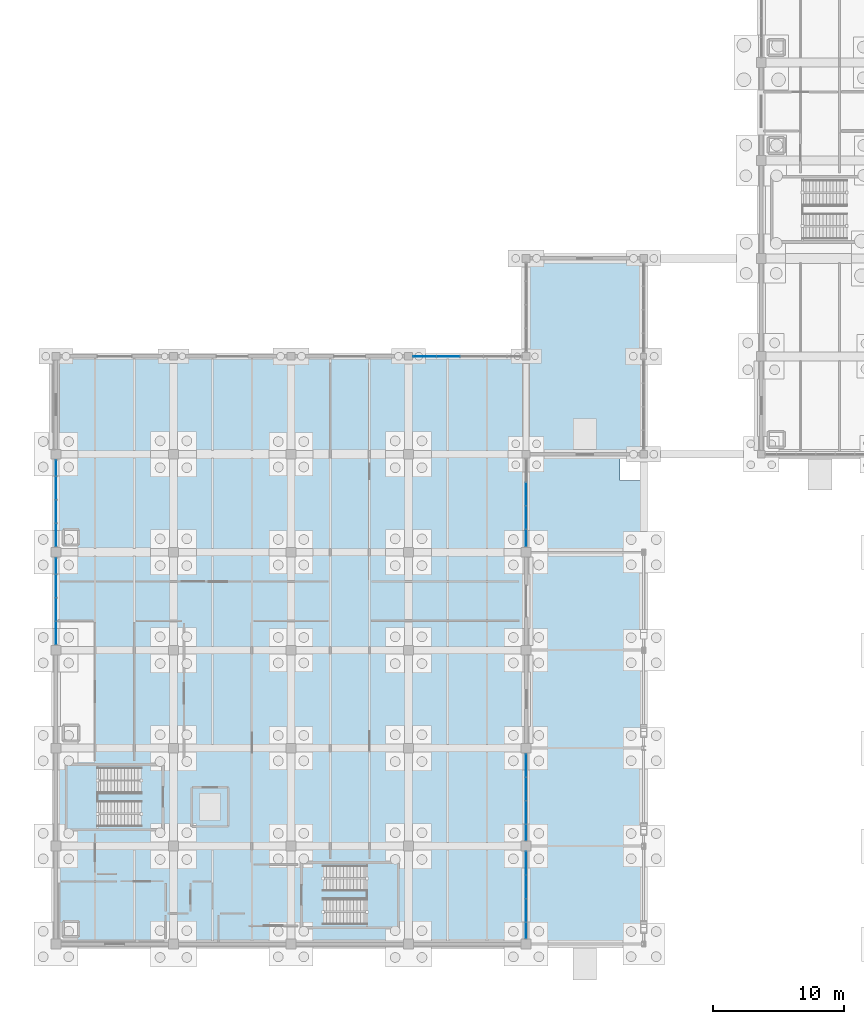
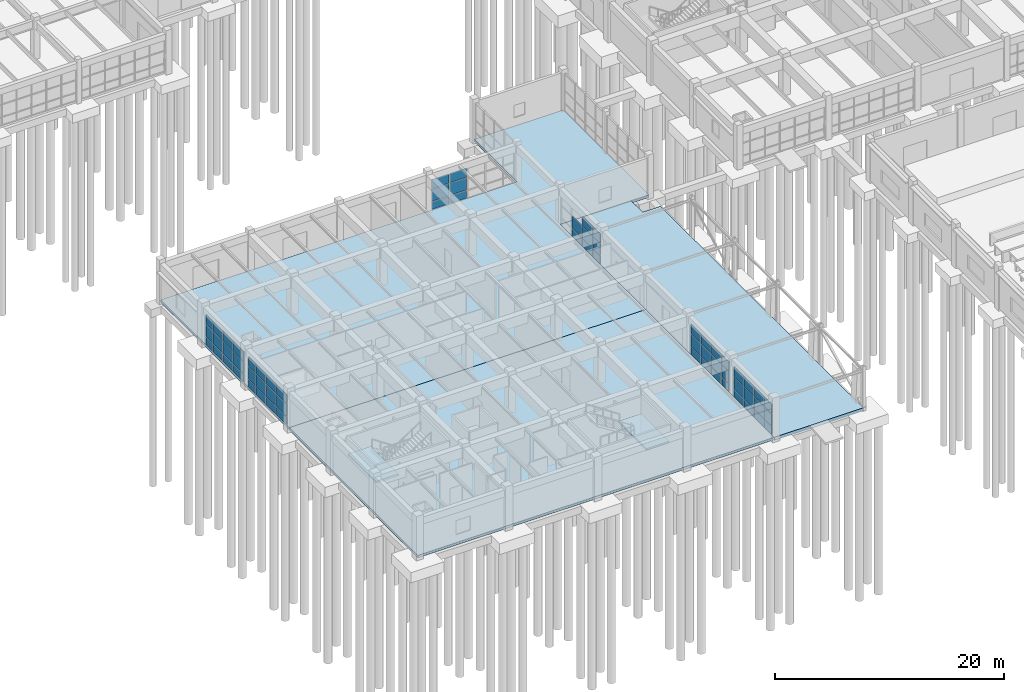
# One storey, part 43 of 93: 62 plates, 5 slabs, 8 elements without a shape of their own.
"""IFC4 building model written with IfcOpenShell, lengths in metres."""

from ifc_helpers import new_model, si_unit, direction, frame, origin, origin_2d, place, context, subcontext, project, spatial, polyline, rectangle, outline, extrude, material, layer, layer_set, type_object, element, aggregate, save


model = new_model("IFC4")

# Units and contexts
model_context = context("Model", 3, precision=1e-05, world=origin(), true_north=direction((0.0, 1.0)))
body_context = subcontext(model_context, "Body", "Model", "MODEL_VIEW")
ifc_project = project(units=[si_unit("LENGTHUNIT", "METRE"), si_unit("AREAUNIT", "SQUARE_METRE"), si_unit("VOLUMEUNIT", "CUBIC_METRE"), si_unit("PLANEANGLEUNIT", "RADIAN"), si_unit("MASSUNIT", "GRAM", prefix="KILO")], contexts=[model_context])

# Site, building, storey
site_placement = place(None, origin())
site = spatial("IfcSite", under=ifc_project, at=site_placement, CompositionType="ELEMENT")
building_placement = place(site_placement, origin())
building = spatial("IfcBuilding", under=site, at=building_placement, Name="Marnridge Secondary College", CompositionType="ELEMENT")
storey_placement = place(building_placement, origin())
storey = spatial("IfcBuildingStorey", under=building, at=storey_placement, Name="L00", CompositionType="ELEMENT", Elevation=0.0)

# Curtain wall, plates
ifc_material_1 = material(Name="Bronze-anodised aluminium and solar-control glazing", Category="aluminium")
ifc_layer_1 = layer(ifc_material_1, 0.199951171875)
ifc_layer_set_1 = layer_set([ifc_layer_1], Name="CW-MOD-1800")
curtain_wall_type = type_object("IfcCurtainWallType", Name="CW-MOD-1800", PredefinedType="NOTDEFINED", material=ifc_layer_set_1)
curtain_wall_1_placement = place(storey_placement, origin())
curtain_wall_1 = element("IfcCurtainWall", 1, at=curtain_wall_1_placement, inside=storey, type_object=curtain_wall_type, Name="Unitised curtain wall CW-L00-019", PredefinedType="NOTDEFINED")
ifc_material_2 = material(Name="Acoustic laminated solar-control double glazing", Category="glass")
ifc_layer_2 = layer(ifc_material_2, 0.035888671875)
ifc_layer_set_2 = layer_set([ifc_layer_2], Name="CWP-GLZ36")
plate_type = type_object("IfcPlateType", Name="CWP-GLZ36", PredefinedType="CURTAIN_PANEL", material=ifc_layer_set_2)
plate_1_placement = place(storey_placement, frame((28.239013671875, 45.0, 0.06494140625), z_axis=(0.0, 0.0, 1.0), x_axis=(1.0, 0.0, 0.0)))
plate_1 = element("IfcPlate", 2, at=plate_1_placement, type_object=plate_type, Name="CW-L00-019 panel 1.1", PredefinedType="CURTAIN_PANEL", context=body_context, shape_type="SweptSolid", body=[
    extrude(rectangle(XDim=1.72998046875, YDim=0.035888671875, at=origin_2d()), origin(), (0.0, 0.0, 1.0), 0.802490234375),
])
plate_2_placement = place(storey_placement, frame((28.239013671875, 45.0, 0.9326171875), z_axis=(0.0, 0.0, 1.0), x_axis=(1.0, 0.0, 0.0)))
plate_2 = element("IfcPlate", 3, at=plate_2_placement, type_object=plate_type, Name="CW-L00-019 panel 1.2", PredefinedType="CURTAIN_PANEL", context=body_context, shape_type="SweptSolid", body=[
    extrude(rectangle(XDim=1.72998046875, YDim=0.035888671875, at=origin_2d()), origin(), (0.0, 0.0, 1.0), 1.284912109375),
])
plate_3_placement = place(storey_placement, frame((28.239013671875, 45.0, 2.2822265625), z_axis=(0.0, 0.0, 1.0), x_axis=(1.0, 0.0, 0.0)))
plate_3 = element("IfcPlate", 4, at=plate_3_placement, type_object=plate_type, Name="CW-L00-019 panel 1.3", PredefinedType="CURTAIN_PANEL", context=body_context, shape_type="SweptSolid", body=[
    extrude(rectangle(XDim=1.72998046875, YDim=0.035888671875, at=origin_2d()), origin(), (0.0, 0.0, 1.0), 0.984619140625),
])
plate_4_placement = place(storey_placement, frame((30.0390625, 45.0, 0.06494140625), z_axis=(0.0, 0.0, 1.0), x_axis=(1.0, 0.0, 0.0)))
plate_4 = element("IfcPlate", 5, at=plate_4_placement, type_object=plate_type, Name="CW-L00-019 panel 2.1", PredefinedType="CURTAIN_PANEL", context=body_context, shape_type="SweptSolid", body=[
    extrude(rectangle(XDim=1.72998046875, YDim=0.035888671875, at=origin_2d()), origin(), (0.0, 0.0, 1.0), 0.802490234375),
])
plate_5_placement = place(storey_placement, frame((30.0390625, 45.0, 0.9326171875), z_axis=(0.0, 0.0, 1.0), x_axis=(1.0, 0.0, 0.0)))
plate_5 = element("IfcPlate", 6, at=plate_5_placement, type_object=plate_type, Name="CW-L00-019 panel 2.2", PredefinedType="CURTAIN_PANEL", context=body_context, shape_type="SweptSolid", body=[
    extrude(rectangle(XDim=1.72998046875, YDim=0.035888671875, at=origin_2d()), origin(), (0.0, 0.0, 1.0), 1.284912109375),
])
plate_6_placement = place(storey_placement, frame((30.0390625, 45.0, 2.2822265625), z_axis=(0.0, 0.0, 1.0), x_axis=(1.0, 0.0, 0.0)))
plate_6 = element("IfcPlate", 7, at=plate_6_placement, type_object=plate_type, Name="CW-L00-019 panel 2.3", PredefinedType="CURTAIN_PANEL", context=body_context, shape_type="SweptSolid", body=[
    extrude(rectangle(XDim=1.72998046875, YDim=0.035888671875, at=origin_2d()), origin(), (0.0, 0.0, 1.0), 0.984619140625),
])
aggregate(curtain_wall_1, [plate_1, plate_2, plate_3, plate_4, plate_5, plate_6])

curtain_wall_2_placement = place(storey_placement, origin())
curtain_wall_2 = element("IfcCurtainWall", 8, at=curtain_wall_2_placement, inside=storey, type_object=curtain_wall_type, Name="Unitised curtain wall CW-L00-023", PredefinedType="NOTDEFINED")
plate_7_placement = place(storey_placement, frame((36.0, 34.4609375, 0.06494140625), z_axis=(0.0, 0.0, 1.0), x_axis=(0.0, -1.0, 0.0)))
plate_7 = element("IfcPlate", 9, at=plate_7_placement, type_object=plate_type, Name="CW-L00-023 panel 2.1", PredefinedType="CURTAIN_PANEL", context=body_context, shape_type="SweptSolid", body=[
    extrude(rectangle(XDim=1.72998046875, YDim=0.035888671875, at=origin_2d()), origin(), (0.0, 0.0, 1.0), 0.802490234375),
])
plate_8_placement = place(storey_placement, frame((36.0, 34.4609375, 0.9326171875), z_axis=(0.0, 0.0, 1.0), x_axis=(0.0, -1.0, 0.0)))
plate_8 = element("IfcPlate", 10, at=plate_8_placement, type_object=plate_type, Name="CW-L00-023 panel 2.2", PredefinedType="CURTAIN_PANEL", context=body_context, shape_type="SweptSolid", body=[
    extrude(rectangle(XDim=1.72998046875, YDim=0.035888671875, at=origin_2d()), origin(), (0.0, 0.0, 1.0), 1.284912109375),
])
plate_9_placement = place(storey_placement, frame((36.0, 32.660888671875, 0.06494140625), z_axis=(0.0, 0.0, 1.0), x_axis=(0.0, -1.0, 0.0)))
plate_9 = element("IfcPlate", 11, at=plate_9_placement, type_object=plate_type, Name="CW-L00-023 panel 3.1", PredefinedType="CURTAIN_PANEL", context=body_context, shape_type="SweptSolid", body=[
    extrude(rectangle(XDim=1.72998046875, YDim=0.035888671875, at=origin_2d()), origin(), (0.0, 0.0, 1.0), 0.802490234375),
])
plate_10_placement = place(storey_placement, frame((36.0, 32.660888671875, 0.9326171875), z_axis=(0.0, 0.0, 1.0), x_axis=(0.0, -1.0, 0.0)))
plate_10 = element("IfcPlate", 12, at=plate_10_placement, type_object=plate_type, Name="CW-L00-023 panel 3.2", PredefinedType="CURTAIN_PANEL", context=body_context, shape_type="SweptSolid", body=[
    extrude(rectangle(XDim=1.72998046875, YDim=0.035888671875, at=origin_2d()), origin(), (0.0, 0.0, 1.0), 1.284912109375),
])
plate_11_placement = place(storey_placement, frame((36.0, 32.660888671875, 2.2822265625), z_axis=(0.0, 0.0, 1.0), x_axis=(0.0, -1.0, 0.0)))
plate_11 = element("IfcPlate", 13, at=plate_11_placement, type_object=plate_type, Name="CW-L00-023 panel 3.3", PredefinedType="CURTAIN_PANEL", context=body_context, shape_type="SweptSolid", body=[
    extrude(rectangle(XDim=1.72998046875, YDim=0.035888671875, at=origin_2d()), origin(), (0.0, 0.0, 1.0), 0.984619140625),
])
plate_12_placement = place(storey_placement, frame((36.0, 31.08740234375, 0.06494140625), z_axis=(0.0, 0.0, 1.0), x_axis=(0.0, -1.0, 0.0)))
plate_12 = element("IfcPlate", 14, at=plate_12_placement, type_object=plate_type, Name="CW-L00-023 panel 4.1", PredefinedType="CURTAIN_PANEL", context=body_context, shape_type="SweptSolid", body=[
    extrude(rectangle(XDim=1.277099609375, YDim=0.035888671875, at=origin_2d()), origin(), (0.0, 0.0, 1.0), 0.802490234375),
])
plate_13_placement = place(storey_placement, frame((36.0, 31.08740234375, 0.9326171875), z_axis=(0.0, 0.0, 1.0), x_axis=(0.0, -1.0, 0.0)))
plate_13 = element("IfcPlate", 15, at=plate_13_placement, type_object=plate_type, Name="CW-L00-023 panel 4.2", PredefinedType="CURTAIN_PANEL", context=body_context, shape_type="SweptSolid", body=[
    extrude(rectangle(XDim=1.277099609375, YDim=0.035888671875, at=origin_2d()), origin(), (0.0, 0.0, 1.0), 1.284912109375),
])
plate_14_placement = place(storey_placement, frame((36.0, 31.08740234375, 2.2822265625), z_axis=(0.0, 0.0, 1.0), x_axis=(0.0, -1.0, 0.0)))
plate_14 = element("IfcPlate", 16, at=plate_14_placement, type_object=plate_type, Name="CW-L00-023 panel 4.3", PredefinedType="CURTAIN_PANEL", context=body_context, shape_type="SweptSolid", body=[
    extrude(rectangle(XDim=1.277099609375, YDim=0.035888671875, at=origin_2d()), origin(), (0.0, 0.0, 1.0), 0.984619140625),
])
aggregate(curtain_wall_2, [plate_7, plate_8, plate_9, plate_10, plate_11, plate_12, plate_13, plate_14])

curtain_wall_3_placement = place(storey_placement, origin())
curtain_wall_3 = element("IfcCurtainWall", 17, at=curtain_wall_3_placement, inside=storey, type_object=curtain_wall_type, Name="Unitised curtain wall CW-L00-024", PredefinedType="NOTDEFINED")
plate_15_placement = place(storey_placement, frame((36.0, 13.68603515625, 0.06494140625), z_axis=(0.0, 0.0, 1.0), x_axis=(0.0, -1.0, 0.0)))
plate_15 = element("IfcPlate", 18, at=plate_15_placement, type_object=plate_type, Name="CW-L00-024 panel 1.1", PredefinedType="CURTAIN_PANEL", context=body_context, shape_type="SweptSolid", body=[
    extrude(rectangle(XDim=1.72998046875, YDim=0.035888671875, at=origin_2d()), origin(), (0.0, 0.0, 1.0), 0.802490234375),
])
plate_16_placement = place(storey_placement, frame((36.0, 13.68603515625, 0.9326171875), z_axis=(0.0, 0.0, 1.0), x_axis=(0.0, -1.0, 0.0)))
plate_16 = element("IfcPlate", 19, at=plate_16_placement, type_object=plate_type, Name="CW-L00-024 panel 1.2", PredefinedType="CURTAIN_PANEL", context=body_context, shape_type="SweptSolid", body=[
    extrude(rectangle(XDim=1.72998046875, YDim=0.035888671875, at=origin_2d()), origin(), (0.0, 0.0, 1.0), 1.284912109375),
])
plate_17_placement = place(storey_placement, frame((36.0, 13.68603515625, 2.2822265625), z_axis=(0.0, 0.0, 1.0), x_axis=(0.0, -1.0, 0.0)))
plate_17 = element("IfcPlate", 20, at=plate_17_placement, type_object=plate_type, Name="CW-L00-024 panel 1.3", PredefinedType="CURTAIN_PANEL", context=body_context, shape_type="SweptSolid", body=[
    extrude(rectangle(XDim=1.72998046875, YDim=0.035888671875, at=origin_2d()), origin(), (0.0, 0.0, 1.0), 0.984619140625),
])
plate_18_placement = place(storey_placement, frame((36.0, 11.885986328125, 0.06494140625), z_axis=(0.0, 0.0, 1.0), x_axis=(0.0, -1.0, 0.0)))
plate_18 = element("IfcPlate", 21, at=plate_18_placement, type_object=plate_type, Name="CW-L00-024 panel 2.1", PredefinedType="CURTAIN_PANEL", context=body_context, shape_type="SweptSolid", body=[
    extrude(rectangle(XDim=1.72998046875, YDim=0.035888671875, at=origin_2d()), origin(), (0.0, 0.0, 1.0), 0.802490234375),
])
plate_19_placement = place(storey_placement, frame((36.0, 11.885986328125, 0.9326171875), z_axis=(0.0, 0.0, 1.0), x_axis=(0.0, -1.0, 0.0)))
plate_19 = element("IfcPlate", 22, at=plate_19_placement, type_object=plate_type, Name="CW-L00-024 panel 2.2", PredefinedType="CURTAIN_PANEL", context=body_context, shape_type="SweptSolid", body=[
    extrude(rectangle(XDim=1.72998046875, YDim=0.035888671875, at=origin_2d()), origin(), (0.0, 0.0, 1.0), 1.284912109375),
])
plate_20_placement = place(storey_placement, frame((36.0, 11.885986328125, 2.2822265625), z_axis=(0.0, 0.0, 1.0), x_axis=(0.0, -1.0, 0.0)))
plate_20 = element("IfcPlate", 23, at=plate_20_placement, type_object=plate_type, Name="CW-L00-024 panel 2.3", PredefinedType="CURTAIN_PANEL", context=body_context, shape_type="SweptSolid", body=[
    extrude(rectangle(XDim=1.72998046875, YDim=0.035888671875, at=origin_2d()), origin(), (0.0, 0.0, 1.0), 0.984619140625),
])
plate_21_placement = place(storey_placement, frame((36.0, 10.0859375, 0.06494140625), z_axis=(0.0, 0.0, 1.0), x_axis=(0.0, -1.0, 0.0)))
plate_21 = element("IfcPlate", 24, at=plate_21_placement, type_object=plate_type, Name="CW-L00-024 panel 3.1", PredefinedType="CURTAIN_PANEL", context=body_context, shape_type="SweptSolid", body=[
    extrude(rectangle(XDim=1.72998046875, YDim=0.035888671875, at=origin_2d()), origin(), (0.0, 0.0, 1.0), 0.802490234375),
])
plate_22_placement = place(storey_placement, frame((36.0, 10.0859375, 0.9326171875), z_axis=(0.0, 0.0, 1.0), x_axis=(0.0, -1.0, 0.0)))
plate_22 = element("IfcPlate", 25, at=plate_22_placement, type_object=plate_type, Name="CW-L00-024 panel 3.2", PredefinedType="CURTAIN_PANEL", context=body_context, shape_type="SweptSolid", body=[
    extrude(rectangle(XDim=1.72998046875, YDim=0.035888671875, at=origin_2d()), origin(), (0.0, 0.0, 1.0), 1.284912109375),
])
plate_23_placement = place(storey_placement, frame((36.0, 10.0859375, 2.2822265625), z_axis=(0.0, 0.0, 1.0), x_axis=(0.0, -1.0, 0.0)))
plate_23 = element("IfcPlate", 26, at=plate_23_placement, type_object=plate_type, Name="CW-L00-024 panel 3.3", PredefinedType="CURTAIN_PANEL", context=body_context, shape_type="SweptSolid", body=[
    extrude(rectangle(XDim=1.72998046875, YDim=0.035888671875, at=origin_2d()), origin(), (0.0, 0.0, 1.0), 0.984619140625),
])
plate_24_placement = place(storey_placement, frame((36.0, 8.550048828125, 0.06494140625), z_axis=(0.0, 0.0, 1.0), x_axis=(0.0, -1.0, 0.0)))
plate_24 = element("IfcPlate", 27, at=plate_24_placement, type_object=plate_type, Name="CW-L00-024 panel 4.1", PredefinedType="CURTAIN_PANEL", context=body_context, shape_type="SweptSolid", body=[
    extrude(rectangle(XDim=1.201904296875, YDim=0.035888671875, at=origin_2d()), origin(), (0.0, 0.0, 1.0), 0.802490234375),
])
plate_25_placement = place(storey_placement, frame((36.0, 8.550048828125, 0.9326171875), z_axis=(0.0, 0.0, 1.0), x_axis=(0.0, -1.0, 0.0)))
plate_25 = element("IfcPlate", 28, at=plate_25_placement, type_object=plate_type, Name="CW-L00-024 panel 4.2", PredefinedType="CURTAIN_PANEL", context=body_context, shape_type="SweptSolid", body=[
    extrude(rectangle(XDim=1.201904296875, YDim=0.035888671875, at=origin_2d()), origin(), (0.0, 0.0, 1.0), 1.284912109375),
])
plate_26_placement = place(storey_placement, frame((36.0, 8.550048828125, 2.2822265625), z_axis=(0.0, 0.0, 1.0), x_axis=(0.0, -1.0, 0.0)))
plate_26 = element("IfcPlate", 29, at=plate_26_placement, type_object=plate_type, Name="CW-L00-024 panel 4.3", PredefinedType="CURTAIN_PANEL", context=body_context, shape_type="SweptSolid", body=[
    extrude(rectangle(XDim=1.201904296875, YDim=0.035888671875, at=origin_2d()), origin(), (0.0, 0.0, 1.0), 0.984619140625),
])
aggregate(curtain_wall_3, [plate_15, plate_16, plate_17, plate_18, plate_19, plate_20, plate_21, plate_22, plate_23, plate_24, plate_25, plate_26])

curtain_wall_4_placement = place(storey_placement, origin())
curtain_wall_4 = element("IfcCurtainWall", 30, at=curtain_wall_4_placement, inside=storey, type_object=curtain_wall_type, Name="Unitised curtain wall CW-L00-025", PredefinedType="NOTDEFINED")
plate_27_placement = place(storey_placement, frame((36.0, 6.18603515625, 0.06494140625), z_axis=(0.0, 0.0, 1.0), x_axis=(0.0, -1.0, 0.0)))
plate_27 = element("IfcPlate", 31, at=plate_27_placement, type_object=plate_type, Name="CW-L00-025 panel 1.1", PredefinedType="CURTAIN_PANEL", context=body_context, shape_type="SweptSolid", body=[
    extrude(rectangle(XDim=1.72998046875, YDim=0.035888671875, at=origin_2d()), origin(), (0.0, 0.0, 1.0), 0.802490234375),
])
plate_28_placement = place(storey_placement, frame((36.0, 6.18603515625, 0.9326171875), z_axis=(0.0, 0.0, 1.0), x_axis=(0.0, -1.0, 0.0)))
plate_28 = element("IfcPlate", 32, at=plate_28_placement, type_object=plate_type, Name="CW-L00-025 panel 1.2", PredefinedType="CURTAIN_PANEL", context=body_context, shape_type="SweptSolid", body=[
    extrude(rectangle(XDim=1.72998046875, YDim=0.035888671875, at=origin_2d()), origin(), (0.0, 0.0, 1.0), 1.284912109375),
])
plate_29_placement = place(storey_placement, frame((36.0, 6.18603515625, 2.2822265625), z_axis=(0.0, 0.0, 1.0), x_axis=(0.0, -1.0, 0.0)))
plate_29 = element("IfcPlate", 33, at=plate_29_placement, type_object=plate_type, Name="CW-L00-025 panel 1.3", PredefinedType="CURTAIN_PANEL", context=body_context, shape_type="SweptSolid", body=[
    extrude(rectangle(XDim=1.72998046875, YDim=0.035888671875, at=origin_2d()), origin(), (0.0, 0.0, 1.0), 0.984619140625),
])
plate_30_placement = place(storey_placement, frame((36.0, 4.385986328125, 0.06494140625), z_axis=(0.0, 0.0, 1.0), x_axis=(0.0, -1.0, 0.0)))
plate_30 = element("IfcPlate", 34, at=plate_30_placement, type_object=plate_type, Name="CW-L00-025 panel 2.1", PredefinedType="CURTAIN_PANEL", context=body_context, shape_type="SweptSolid", body=[
    extrude(rectangle(XDim=1.72998046875, YDim=0.035888671875, at=origin_2d()), origin(), (0.0, 0.0, 1.0), 0.802490234375),
])
plate_31_placement = place(storey_placement, frame((36.0, 4.385986328125, 0.9326171875), z_axis=(0.0, 0.0, 1.0), x_axis=(0.0, -1.0, 0.0)))
plate_31 = element("IfcPlate", 35, at=plate_31_placement, type_object=plate_type, Name="CW-L00-025 panel 2.2", PredefinedType="CURTAIN_PANEL", context=body_context, shape_type="SweptSolid", body=[
    extrude(rectangle(XDim=1.72998046875, YDim=0.035888671875, at=origin_2d()), origin(), (0.0, 0.0, 1.0), 1.284912109375),
])
plate_32_placement = place(storey_placement, frame((36.0, 4.385986328125, 2.2822265625), z_axis=(0.0, 0.0, 1.0), x_axis=(0.0, -1.0, 0.0)))
plate_32 = element("IfcPlate", 36, at=plate_32_placement, type_object=plate_type, Name="CW-L00-025 panel 2.3", PredefinedType="CURTAIN_PANEL", context=body_context, shape_type="SweptSolid", body=[
    extrude(rectangle(XDim=1.72998046875, YDim=0.035888671875, at=origin_2d()), origin(), (0.0, 0.0, 1.0), 0.984619140625),
])
plate_33_placement = place(storey_placement, frame((36.0, 2.5859375, 0.06494140625), z_axis=(0.0, 0.0, 1.0), x_axis=(0.0, -1.0, 0.0)))
plate_33 = element("IfcPlate", 37, at=plate_33_placement, type_object=plate_type, Name="CW-L00-025 panel 3.1", PredefinedType="CURTAIN_PANEL", context=body_context, shape_type="SweptSolid", body=[
    extrude(rectangle(XDim=1.72998046875, YDim=0.035888671875, at=origin_2d()), origin(), (0.0, 0.0, 1.0), 0.802490234375),
])
plate_34_placement = place(storey_placement, frame((36.0, 2.5859375, 0.9326171875), z_axis=(0.0, 0.0, 1.0), x_axis=(0.0, -1.0, 0.0)))
plate_34 = element("IfcPlate", 38, at=plate_34_placement, type_object=plate_type, Name="CW-L00-025 panel 3.2", PredefinedType="CURTAIN_PANEL", context=body_context, shape_type="SweptSolid", body=[
    extrude(rectangle(XDim=1.72998046875, YDim=0.035888671875, at=origin_2d()), origin(), (0.0, 0.0, 1.0), 1.284912109375),
])
plate_35_placement = place(storey_placement, frame((36.0, 2.5859375, 2.2822265625), z_axis=(0.0, 0.0, 1.0), x_axis=(0.0, -1.0, 0.0)))
plate_35 = element("IfcPlate", 39, at=plate_35_placement, type_object=plate_type, Name="CW-L00-025 panel 3.3", PredefinedType="CURTAIN_PANEL", context=body_context, shape_type="SweptSolid", body=[
    extrude(rectangle(XDim=1.72998046875, YDim=0.035888671875, at=origin_2d()), origin(), (0.0, 0.0, 1.0), 0.984619140625),
])
plate_36_placement = place(storey_placement, frame((36.0, 1.050048828125, 0.06494140625), z_axis=(0.0, 0.0, 1.0), x_axis=(0.0, -1.0, 0.0)))
plate_36 = element("IfcPlate", 40, at=plate_36_placement, type_object=plate_type, Name="CW-L00-025 panel 4.1", PredefinedType="CURTAIN_PANEL", context=body_context, shape_type="SweptSolid", body=[
    extrude(rectangle(XDim=1.201904296875, YDim=0.035888671875, at=origin_2d()), origin(), (0.0, 0.0, 1.0), 0.802490234375),
])
plate_37_placement = place(storey_placement, frame((36.0, 1.050048828125, 0.9326171875), z_axis=(0.0, 0.0, 1.0), x_axis=(0.0, -1.0, 0.0)))
plate_37 = element("IfcPlate", 41, at=plate_37_placement, type_object=plate_type, Name="CW-L00-025 panel 4.2", PredefinedType="CURTAIN_PANEL", context=body_context, shape_type="SweptSolid", body=[
    extrude(rectangle(XDim=1.201904296875, YDim=0.035888671875, at=origin_2d()), origin(), (0.0, 0.0, 1.0), 1.284912109375),
])
plate_38_placement = place(storey_placement, frame((36.0, 1.050048828125, 2.2822265625), z_axis=(0.0, 0.0, 1.0), x_axis=(0.0, -1.0, 0.0)))
plate_38 = element("IfcPlate", 42, at=plate_38_placement, type_object=plate_type, Name="CW-L00-025 panel 4.3", PredefinedType="CURTAIN_PANEL", context=body_context, shape_type="SweptSolid", body=[
    extrude(rectangle(XDim=1.201904296875, YDim=0.035888671875, at=origin_2d()), origin(), (0.0, 0.0, 1.0), 0.984619140625),
])
aggregate(curtain_wall_4, [plate_27, plate_28, plate_29, plate_30, plate_31, plate_32, plate_33, plate_34, plate_35, plate_36, plate_37, plate_38])

curtain_wall_5_placement = place(storey_placement, origin())
curtain_wall_5 = element("IfcCurtainWall", 43, at=curtain_wall_5_placement, inside=storey, type_object=curtain_wall_type, Name="Unitised curtain wall CW-L00-026", PredefinedType="NOTDEFINED")
plate_39_placement = place(storey_placement, frame((0.0, 23.81396484375, 0.06494140625), z_axis=(0.0, 0.0, 1.0), x_axis=(0.0, 1.0, 0.0)))
plate_39 = element("IfcPlate", 44, at=plate_39_placement, type_object=plate_type, Name="CW-L00-026 panel 1.1", PredefinedType="CURTAIN_PANEL", context=body_context, shape_type="SweptSolid", body=[
    extrude(rectangle(XDim=1.72998046875, YDim=0.035888671875, at=origin_2d()), origin(), (0.0, 0.0, 1.0), 0.802490234375),
])
plate_40_placement = place(storey_placement, frame((0.0, 23.81396484375, 0.9326171875), z_axis=(0.0, 0.0, 1.0), x_axis=(0.0, 1.0, 0.0)))
plate_40 = element("IfcPlate", 45, at=plate_40_placement, type_object=plate_type, Name="CW-L00-026 panel 1.2", PredefinedType="CURTAIN_PANEL", context=body_context, shape_type="SweptSolid", body=[
    extrude(rectangle(XDim=1.72998046875, YDim=0.035888671875, at=origin_2d()), origin(), (0.0, 0.0, 1.0), 1.284912109375),
])
plate_41_placement = place(storey_placement, frame((0.0, 23.81396484375, 2.2822265625), z_axis=(0.0, 0.0, 1.0), x_axis=(0.0, 1.0, 0.0)))
plate_41 = element("IfcPlate", 46, at=plate_41_placement, type_object=plate_type, Name="CW-L00-026 panel 1.3", PredefinedType="CURTAIN_PANEL", context=body_context, shape_type="SweptSolid", body=[
    extrude(rectangle(XDim=1.72998046875, YDim=0.035888671875, at=origin_2d()), origin(), (0.0, 0.0, 1.0), 0.984619140625),
])
plate_42_placement = place(storey_placement, frame((0.0, 25.614013671875, 0.06494140625), z_axis=(0.0, 0.0, 1.0), x_axis=(0.0, 1.0, 0.0)))
plate_42 = element("IfcPlate", 47, at=plate_42_placement, type_object=plate_type, Name="CW-L00-026 panel 2.1", PredefinedType="CURTAIN_PANEL", context=body_context, shape_type="SweptSolid", body=[
    extrude(rectangle(XDim=1.72998046875, YDim=0.035888671875, at=origin_2d()), origin(), (0.0, 0.0, 1.0), 0.802490234375),
])
plate_43_placement = place(storey_placement, frame((0.0, 25.614013671875, 0.9326171875), z_axis=(0.0, 0.0, 1.0), x_axis=(0.0, 1.0, 0.0)))
plate_43 = element("IfcPlate", 48, at=plate_43_placement, type_object=plate_type, Name="CW-L00-026 panel 2.2", PredefinedType="CURTAIN_PANEL", context=body_context, shape_type="SweptSolid", body=[
    extrude(rectangle(XDim=1.72998046875, YDim=0.035888671875, at=origin_2d()), origin(), (0.0, 0.0, 1.0), 1.284912109375),
])
plate_44_placement = place(storey_placement, frame((0.0, 25.614013671875, 2.2822265625), z_axis=(0.0, 0.0, 1.0), x_axis=(0.0, 1.0, 0.0)))
plate_44 = element("IfcPlate", 49, at=plate_44_placement, type_object=plate_type, Name="CW-L00-026 panel 2.3", PredefinedType="CURTAIN_PANEL", context=body_context, shape_type="SweptSolid", body=[
    extrude(rectangle(XDim=1.72998046875, YDim=0.035888671875, at=origin_2d()), origin(), (0.0, 0.0, 1.0), 0.984619140625),
])
plate_45_placement = place(storey_placement, frame((0.0, 27.4140625, 0.06494140625), z_axis=(0.0, 0.0, 1.0), x_axis=(0.0, 1.0, 0.0)))
plate_45 = element("IfcPlate", 50, at=plate_45_placement, type_object=plate_type, Name="CW-L00-026 panel 3.1", PredefinedType="CURTAIN_PANEL", context=body_context, shape_type="SweptSolid", body=[
    extrude(rectangle(XDim=1.72998046875, YDim=0.035888671875, at=origin_2d()), origin(), (0.0, 0.0, 1.0), 0.802490234375),
])
plate_46_placement = place(storey_placement, frame((0.0, 27.4140625, 0.9326171875), z_axis=(0.0, 0.0, 1.0), x_axis=(0.0, 1.0, 0.0)))
plate_46 = element("IfcPlate", 51, at=plate_46_placement, type_object=plate_type, Name="CW-L00-026 panel 3.2", PredefinedType="CURTAIN_PANEL", context=body_context, shape_type="SweptSolid", body=[
    extrude(rectangle(XDim=1.72998046875, YDim=0.035888671875, at=origin_2d()), origin(), (0.0, 0.0, 1.0), 1.284912109375),
])
plate_47_placement = place(storey_placement, frame((0.0, 27.4140625, 2.2822265625), z_axis=(0.0, 0.0, 1.0), x_axis=(0.0, 1.0, 0.0)))
plate_47 = element("IfcPlate", 52, at=plate_47_placement, type_object=plate_type, Name="CW-L00-026 panel 3.3", PredefinedType="CURTAIN_PANEL", context=body_context, shape_type="SweptSolid", body=[
    extrude(rectangle(XDim=1.72998046875, YDim=0.035888671875, at=origin_2d()), origin(), (0.0, 0.0, 1.0), 0.984619140625),
])
plate_48_placement = place(storey_placement, frame((0.0, 28.949951171875, 0.06494140625), z_axis=(0.0, 0.0, 1.0), x_axis=(0.0, 1.0, 0.0)))
plate_48 = element("IfcPlate", 53, at=plate_48_placement, type_object=plate_type, Name="CW-L00-026 panel 4.1", PredefinedType="CURTAIN_PANEL", context=body_context, shape_type="SweptSolid", body=[
    extrude(rectangle(XDim=1.201904296875, YDim=0.035888671875, at=origin_2d()), origin(), (0.0, 0.0, 1.0), 0.802490234375),
])
plate_49_placement = place(storey_placement, frame((0.0, 28.949951171875, 0.9326171875), z_axis=(0.0, 0.0, 1.0), x_axis=(0.0, 1.0, 0.0)))
plate_49 = element("IfcPlate", 54, at=plate_49_placement, type_object=plate_type, Name="CW-L00-026 panel 4.2", PredefinedType="CURTAIN_PANEL", context=body_context, shape_type="SweptSolid", body=[
    extrude(rectangle(XDim=1.201904296875, YDim=0.035888671875, at=origin_2d()), origin(), (0.0, 0.0, 1.0), 1.284912109375),
])
plate_50_placement = place(storey_placement, frame((0.0, 28.949951171875, 2.2822265625), z_axis=(0.0, 0.0, 1.0), x_axis=(0.0, 1.0, 0.0)))
plate_50 = element("IfcPlate", 55, at=plate_50_placement, type_object=plate_type, Name="CW-L00-026 panel 4.3", PredefinedType="CURTAIN_PANEL", context=body_context, shape_type="SweptSolid", body=[
    extrude(rectangle(XDim=1.201904296875, YDim=0.035888671875, at=origin_2d()), origin(), (0.0, 0.0, 1.0), 0.984619140625),
])
aggregate(curtain_wall_5, [plate_39, plate_40, plate_41, plate_42, plate_43, plate_44, plate_45, plate_46, plate_47, plate_48, plate_49, plate_50])

curtain_wall_6_placement = place(storey_placement, origin())
curtain_wall_6 = element("IfcCurtainWall", 56, at=curtain_wall_6_placement, inside=storey, type_object=curtain_wall_type, Name="Unitised curtain wall CW-L00-027", PredefinedType="NOTDEFINED")
plate_51_placement = place(storey_placement, frame((0.0, 31.31396484375, 0.06494140625), z_axis=(0.0, 0.0, 1.0), x_axis=(0.0, 1.0, 0.0)))
plate_51 = element("IfcPlate", 57, at=plate_51_placement, type_object=plate_type, Name="CW-L00-027 panel 1.1", PredefinedType="CURTAIN_PANEL", context=body_context, shape_type="SweptSolid", body=[
    extrude(rectangle(XDim=1.72998046875, YDim=0.035888671875, at=origin_2d()), origin(), (0.0, 0.0, 1.0), 0.802490234375),
])
plate_52_placement = place(storey_placement, frame((0.0, 31.31396484375, 0.9326171875), z_axis=(0.0, 0.0, 1.0), x_axis=(0.0, 1.0, 0.0)))
plate_52 = element("IfcPlate", 58, at=plate_52_placement, type_object=plate_type, Name="CW-L00-027 panel 1.2", PredefinedType="CURTAIN_PANEL", context=body_context, shape_type="SweptSolid", body=[
    extrude(rectangle(XDim=1.72998046875, YDim=0.035888671875, at=origin_2d()), origin(), (0.0, 0.0, 1.0), 1.284912109375),
])
plate_53_placement = place(storey_placement, frame((0.0, 31.31396484375, 2.2822265625), z_axis=(0.0, 0.0, 1.0), x_axis=(0.0, 1.0, 0.0)))
plate_53 = element("IfcPlate", 59, at=plate_53_placement, type_object=plate_type, Name="CW-L00-027 panel 1.3", PredefinedType="CURTAIN_PANEL", context=body_context, shape_type="SweptSolid", body=[
    extrude(rectangle(XDim=1.72998046875, YDim=0.035888671875, at=origin_2d()), origin(), (0.0, 0.0, 1.0), 0.984619140625),
])
plate_54_placement = place(storey_placement, frame((0.0, 33.114013671875, 0.06494140625), z_axis=(0.0, 0.0, 1.0), x_axis=(0.0, 1.0, 0.0)))
plate_54 = element("IfcPlate", 60, at=plate_54_placement, type_object=plate_type, Name="CW-L00-027 panel 2.1", PredefinedType="CURTAIN_PANEL", context=body_context, shape_type="SweptSolid", body=[
    extrude(rectangle(XDim=1.72998046875, YDim=0.035888671875, at=origin_2d()), origin(), (0.0, 0.0, 1.0), 0.802490234375),
])
plate_55_placement = place(storey_placement, frame((0.0, 33.114013671875, 0.9326171875), z_axis=(0.0, 0.0, 1.0), x_axis=(0.0, 1.0, 0.0)))
plate_55 = element("IfcPlate", 61, at=plate_55_placement, type_object=plate_type, Name="CW-L00-027 panel 2.2", PredefinedType="CURTAIN_PANEL", context=body_context, shape_type="SweptSolid", body=[
    extrude(rectangle(XDim=1.72998046875, YDim=0.035888671875, at=origin_2d()), origin(), (0.0, 0.0, 1.0), 1.284912109375),
])
plate_56_placement = place(storey_placement, frame((0.0, 33.114013671875, 2.2822265625), z_axis=(0.0, 0.0, 1.0), x_axis=(0.0, 1.0, 0.0)))
plate_56 = element("IfcPlate", 62, at=plate_56_placement, type_object=plate_type, Name="CW-L00-027 panel 2.3", PredefinedType="CURTAIN_PANEL", context=body_context, shape_type="SweptSolid", body=[
    extrude(rectangle(XDim=1.72998046875, YDim=0.035888671875, at=origin_2d()), origin(), (0.0, 0.0, 1.0), 0.984619140625),
])
plate_57_placement = place(storey_placement, frame((0.0, 34.9140625, 0.06494140625), z_axis=(0.0, 0.0, 1.0), x_axis=(0.0, 1.0, 0.0)))
plate_57 = element("IfcPlate", 63, at=plate_57_placement, type_object=plate_type, Name="CW-L00-027 panel 3.1", PredefinedType="CURTAIN_PANEL", context=body_context, shape_type="SweptSolid", body=[
    extrude(rectangle(XDim=1.72998046875, YDim=0.035888671875, at=origin_2d()), origin(), (0.0, 0.0, 1.0), 0.802490234375),
])
plate_58_placement = place(storey_placement, frame((0.0, 34.9140625, 0.9326171875), z_axis=(0.0, 0.0, 1.0), x_axis=(0.0, 1.0, 0.0)))
plate_58 = element("IfcPlate", 64, at=plate_58_placement, type_object=plate_type, Name="CW-L00-027 panel 3.2", PredefinedType="CURTAIN_PANEL", context=body_context, shape_type="SweptSolid", body=[
    extrude(rectangle(XDim=1.72998046875, YDim=0.035888671875, at=origin_2d()), origin(), (0.0, 0.0, 1.0), 1.284912109375),
])
plate_59_placement = place(storey_placement, frame((0.0, 34.9140625, 2.2822265625), z_axis=(0.0, 0.0, 1.0), x_axis=(0.0, 1.0, 0.0)))
plate_59 = element("IfcPlate", 65, at=plate_59_placement, type_object=plate_type, Name="CW-L00-027 panel 3.3", PredefinedType="CURTAIN_PANEL", context=body_context, shape_type="SweptSolid", body=[
    extrude(rectangle(XDim=1.72998046875, YDim=0.035888671875, at=origin_2d()), origin(), (0.0, 0.0, 1.0), 0.984619140625),
])
plate_60_placement = place(storey_placement, frame((0.0, 36.449951171875, 0.06494140625), z_axis=(0.0, 0.0, 1.0), x_axis=(0.0, 1.0, 0.0)))
plate_60 = element("IfcPlate", 66, at=plate_60_placement, type_object=plate_type, Name="CW-L00-027 panel 4.1", PredefinedType="CURTAIN_PANEL", context=body_context, shape_type="SweptSolid", body=[
    extrude(rectangle(XDim=1.201904296875, YDim=0.035888671875, at=origin_2d()), origin(), (0.0, 0.0, 1.0), 0.802490234375),
])
plate_61_placement = place(storey_placement, frame((0.0, 36.449951171875, 0.9326171875), z_axis=(0.0, 0.0, 1.0), x_axis=(0.0, 1.0, 0.0)))
plate_61 = element("IfcPlate", 67, at=plate_61_placement, type_object=plate_type, Name="CW-L00-027 panel 4.2", PredefinedType="CURTAIN_PANEL", context=body_context, shape_type="SweptSolid", body=[
    extrude(rectangle(XDim=1.201904296875, YDim=0.035888671875, at=origin_2d()), origin(), (0.0, 0.0, 1.0), 1.284912109375),
])
plate_62_placement = place(storey_placement, frame((0.0, 36.449951171875, 2.2822265625), z_axis=(0.0, 0.0, 1.0), x_axis=(0.0, 1.0, 0.0)))
plate_62 = element("IfcPlate", 68, at=plate_62_placement, type_object=plate_type, Name="CW-L00-027 panel 4.3", PredefinedType="CURTAIN_PANEL", context=body_context, shape_type="SweptSolid", body=[
    extrude(rectangle(XDim=1.201904296875, YDim=0.035888671875, at=origin_2d()), origin(), (0.0, 0.0, 1.0), 0.984619140625),
])
aggregate(curtain_wall_6, [plate_51, plate_52, plate_53, plate_54, plate_55, plate_56, plate_57, plate_58, plate_59, plate_60, plate_61, plate_62])

# Slabs
ifc_material_3 = material(Name="Concrete C40/50 (AS 3600 N40, 40 MPa)", Category="concrete")
ifc_layer_3 = layer(ifc_material_3, 0.27001953125)
ifc_layer_set_3 = layer_set([ifc_layer_3], Name="SL-BASE-270")
slab_type_1 = type_object("IfcSlabType", Name="SL-BASE-270", PredefinedType="BASESLAB", material=ifc_layer_set_3)
slab_1_placement = place(storey_placement, frame((0.0, 0.0, -0.27001953125)))
element("IfcSlab", 69, at=slab_1_placement, inside=storey, type_object=slab_type_1, Name="Floor slab SL-L00-009", PredefinedType="BASESLAB", context=body_context, shape_type="SweptSolid", body=[
    extrude(outline(polyline([(0.0, 22.5), (36.0, 22.5), (36.0, 0.0), (0.0, 0.0), (0.0, 22.5)])), origin(), (0.0, 0.0, 1.0), 0.27001953125),
])
slab_2_placement = place(storey_placement, frame((0.0, 0.0, -0.27001953125)))
element("IfcSlab", 70, at=slab_2_placement, inside=storey, type_object=slab_type_1, Name="Floor slab SL-L00-010", PredefinedType="BASESLAB", context=body_context, shape_type="SweptSolid", body=[
    extrude(outline(polyline([(0.0, 45.0), (36.0, 45.0), (36.0, 52.5), (45.0, 52.5), (45.0, 37.5), (36.0, 37.5), (36.0, 22.5), (0.0, 22.5), (0.0, 45.0)])), origin(), (0.0, 0.0, 1.0), 0.27001953125),
])
ifc_material_4 = material(Name="Concrete C40/50 (AS 3600 N40, 40 MPa)", Category="concrete")
ifc_layer_4 = layer(ifc_material_4, 0.340087890625)
ifc_layer_set_4 = layer_set([ifc_layer_4], Name="SL-EXT-340")
slab_type_2 = type_object("IfcSlabType", Name="SL-EXT-340", PredefinedType="BASESLAB", material=ifc_layer_set_4)
slab_3_placement = place(storey_placement, frame((0.0, 0.0, -0.340087890625)))
element("IfcSlab", 71, at=slab_3_placement, inside=storey, type_object=slab_type_2, Name="External deck slab SL-L00-054", PredefinedType="BASESLAB", context=body_context, shape_type="SweptSolid", body=[
    extrude(outline(polyline([(36.0, 0.0), (45.0, 0.0), (45.0, 35.5), (43.199951171875, 35.5), (43.199951171875, 37.5), (36.0, 37.5), (36.0, 0.0)])), origin(), (0.0, 0.0, 1.0), 0.340087890625),
])

# Stair, slab
ifc_material_5 = material(Name="Concrete C40/50 (AS 3600 N40, 40 MPa)", Category="concrete")
stair_type = type_object("IfcStairType", Name="STC1", PredefinedType="HALF_TURN_STAIR", material=ifc_material_5)
stair_1_placement = place(storey_placement, origin())
stair_1 = element("IfcStair", 72, at=stair_1_placement, inside=storey, type_object=stair_type, Name="Fire-isolated stair ST-03-L00", PredefinedType="HALF_TURN_STAIR")
ifc_material_6 = material(Name="Concrete C40/50 (AS 3600 N40, 40 MPa)", Category="concrete")
ifc_layer_5 = layer(ifc_material_6, 0.199951171875)
ifc_layer_set_5 = layer_set([ifc_layer_5], Name="SL-LAND-200")
slab_type_3 = type_object("IfcSlabType", Name="SL-LAND-200", PredefinedType="LANDING", material=ifc_layer_set_5)
slab_4_placement = place(storey_placement, frame((0.0, 0.0, 2.050048828125)))
slab_4 = element("IfcSlab", 73, at=slab_4_placement, type_object=slab_type_3, Name="ST-03-L00 landing 1", PredefinedType="LANDING", context=body_context, shape_type="SweptSolid", body=[
    extrude(outline(polyline([(0.860107421875, 8.81005859375), (3.169921875, 8.81005859375), (3.169921875, 13.68994140625), (0.860107421875, 13.68994140625), (0.860107421875, 8.81005859375)])), origin(), (0.0, 0.0, 1.0), 0.199951171875),
])
aggregate(stair_1, [slab_4])

stair_2_placement = place(storey_placement, origin())
stair_2 = element("IfcStair", 74, at=stair_2_placement, inside=storey, type_object=stair_type, Name="Fire-isolated stair ST-04-L00", PredefinedType="HALF_TURN_STAIR")
slab_5_placement = place(storey_placement, frame((0.0, 0.0, 2.050048828125)))
slab_5 = element("IfcSlab", 75, at=slab_5_placement, type_object=slab_type_3, Name="ST-04-L00 landing 1", PredefinedType="LANDING", context=body_context, shape_type="SweptSolid", body=[
    extrude(outline(polyline([(23.830078125, 1.31005859375), (26.139892578125, 1.31005859375), (26.139892578125, 6.18994140625), (23.830078125, 6.18994140625), (23.830078125, 1.31005859375)])), origin(), (0.0, 0.0, 1.0), 0.199951171875),
])
aggregate(stair_2, [slab_5])

save(model, "model.ifc")
